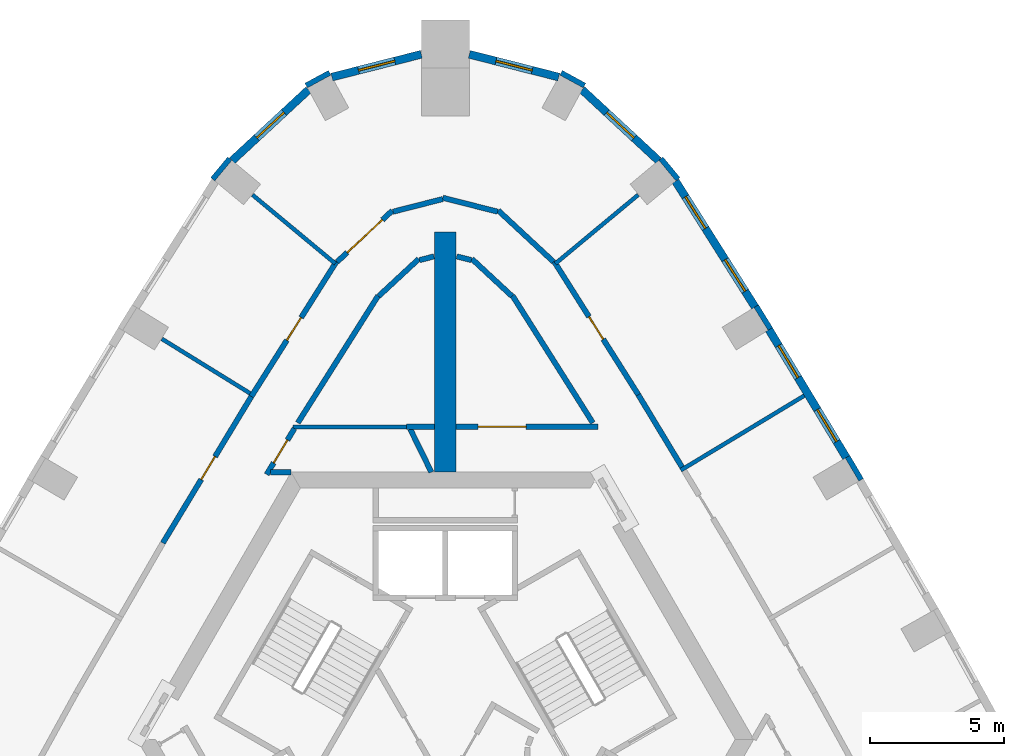
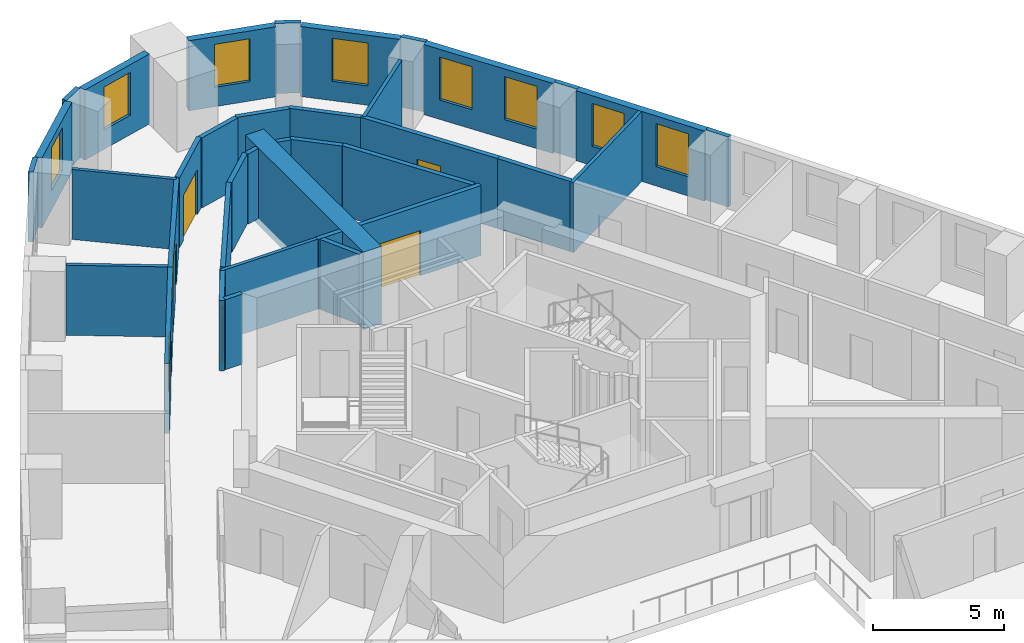
# One storey, part 8 of 10: 37 walls, 8 windows, 6 doors, 14 openings.
"""IFC4 building model written with IfcOpenShell, lengths in metres."""

from ifc_helpers import new_model, si_unit, direction, frame, frame_2d, origin, place, context, subcontext, project, spatial, rectangle, extrude, material, layer, layer_set, type_object, element, fill, save


model = new_model("IFC4")

# Units and contexts
model_context = context("Model", 3, precision=1e-05, world=origin(), true_north=direction((0.0, 1.0)))
body_context = subcontext(model_context, "Body", "Model", "MODEL_VIEW")
ifc_project = project(units=[si_unit("LENGTHUNIT", "METRE"), si_unit("AREAUNIT", "SQUARE_METRE"), si_unit("VOLUMEUNIT", "CUBIC_METRE"), si_unit("PLANEANGLEUNIT", "RADIAN"), si_unit("MASSUNIT", "GRAM", prefix="KILO")], contexts=[model_context])

# Site, building, storey
site_placement = place(None, origin())
site = spatial("IfcSite", under=ifc_project, at=site_placement, CompositionType="ELEMENT")
building_placement = place(site_placement, origin())
building = spatial("IfcBuilding", under=site, at=building_placement, Name="Entoto Arch Interchange Tower", CompositionType="ELEMENT")
storey_placement = place(building_placement, frame((0.0, 0.0, 245.0)))
storey = spatial("IfcBuildingStorey", under=building, at=storey_placement, Name="L55", CompositionType="ELEMENT", Elevation=245.0)

# Walls
ifc_material_1 = material(Name="Concrete C40/50", Category="concrete")
ifc_layer_1 = layer(ifc_material_1, 0.800048828125)
ifc_layer_set_1 = layer_set([ifc_layer_1], Name="Concrete C40/50")
wall_type_1 = type_object("IfcWallType", Name="Buttress wall 800 C40/50", PredefinedType="SHEAR", material=ifc_layer_set_1)
wall_1_placement = place(storey_placement, frame((0.0, 12.5, -0.340087890625), z_axis=(0.0, 0.0, 1.0), x_axis=(0.0, 1.0, 0.0)))
element("IfcWall", 1, at=wall_1_placement, inside=storey, type_object=wall_type_1, Name="Buttress wall N L55", PredefinedType="SHEAR", context=body_context, shape_type="SweptSolid", body=[
    extrude(rectangle(XDim=9.0, YDim=0.800048828125, at=frame_2d((4.5, 0.0))), origin(), (0.0, 0.0, 1.0), 3.60009765625),
])
ifc_material_2 = material(Name="Gypsum board partition on steel studs", Category="steel")
ifc_layer_2 = layer(ifc_material_2, 0.14990234375)
ifc_layer_set_2 = layer_set([ifc_layer_2], Name="Gypsum board partition on steel studs")
wall_type_2 = type_object("IfcWallType", Name="PARTITION 150", PredefinedType="PARTITIONING", material=ifc_layer_set_2)
wall_2_placement = place(storey_placement, frame((-1.45703125, 14.199951171875, 0.0), z_axis=(0.0, 0.0, 1.0), x_axis=(-1.0, 0.0, 0.0)))
element("IfcWall", 2, at=wall_2_placement, inside=storey, type_object=wall_type_2, Name="wall:L55:p071", PredefinedType="PARTITIONING", context=body_context, shape_type="SweptSolid", body=[
    extrude(rectangle(XDim=4.25390625, YDim=0.14990234375, at=frame_2d((2.126953125, 0.0))), origin(), (0.0, 0.0, 1.0), 3.260009765625),
])
wall_3_placement = place(storey_placement, frame((8.81396484375, 12.572021484375, 0.0), z_axis=(0.0, 0.0, 1.0), x_axis=(0.855957229262, 0.517046633945, 0.0)))
element("IfcWall", 3, at=wall_3_placement, inside=storey, type_object=wall_type_2, Name="wall:L55:p107", PredefinedType="PARTITIONING", context=body_context, shape_type="SweptSolid", body=[
    extrude(rectangle(XDim=5.39990234375, YDim=0.14990234375, at=frame_2d((2.699951171875, 0.0))), origin(), (0.0, 0.0, 1.0), 3.260009765625),
])
for number, where, z_axis, x_axis, name in (
    (4, (4.12109375, 20.31005859375, 0.0), (0.0, 0.0, 1.0), (0.769367727798, 0.638806151679, 0.0), "wall:L55:p108"),
    (5, (-4.12109375, 20.31005859375, 0.0), (0.0, 0.0, 1.0), (-0.769367727798, 0.638806151679, 0.0), "wall:L55:p109"),
):
    element("IfcWall", number, at=place(storey_placement, frame(where, z_axis=z_axis, x_axis=x_axis)), inside=storey, type_object=wall_type_2, Name=name, PredefinedType="PARTITIONING", context=body_context, shape_type="SweptSolid", body=[
        extrude(rectangle(XDim=4.02783203125, YDim=0.14990234375, at=frame_2d((2.013916015625, 0.0))), origin(), (0.0, 0.0, 1.0), 3.260009765625),
    ])
wall_4_placement = place(storey_placement, frame((-7.30908203125, 15.450927734375, 0.0), z_axis=(0.0, 0.0, 1.0), x_axis=(-0.850775656528, 0.525529049872, 0.0)))
element("IfcWall", 6, at=wall_4_placement, inside=storey, type_object=wall_type_2, Name="wall:L55:p110", PredefinedType="PARTITIONING", context=body_context, shape_type="SweptSolid", body=[
    extrude(rectangle(XDim=3.880126953125, YDim=0.14990234375, at=frame_2d((1.93994140625, 0.0))), origin(), (0.0, 0.0, 1.0), 3.260009765625),
])
ifc_layer_3 = layer(ifc_material_2, 0.199951171875)
ifc_layer_set_3 = layer_set([ifc_layer_3], Name="Gypsum board partition on steel studs")
wall_type_3 = type_object("IfcWallType", Name="PARTITION 200", PredefinedType="PARTITIONING", material=ifc_layer_set_3)
wall_5_placement = place(storey_placement, frame((-0.52294921875, 12.5, 0.0), z_axis=(0.0, 0.0, 1.0), x_axis=(-0.440503659888, 0.897750814884, 0.0)))
element("IfcWall", 7, at=wall_5_placement, inside=storey, type_object=wall_type_3, Name="wall:L55:p001", PredefinedType="PARTITIONING", context=body_context, shape_type="SweptSolid", body=[
    extrude(rectangle(XDim=1.79345703125, YDim=0.199951171875, at=frame_2d((0.896728515625, 0.0))), origin(), (0.0, 0.0, 1.0), 3.260009765625),
])

# Wall, opening, door
wall_6_placement = place(storey_placement, frame((-5.64990234375, 14.135986328125, 0.0), z_axis=(0.0, 0.0, 1.0), x_axis=(-0.516869099034, -0.856064445275, 0.0)))
wall_6 = element("IfcWall", 8, at=wall_6_placement, inside=storey, type_object=wall_type_3, Name="wall:L55:p002", PredefinedType="PARTITIONING", context=body_context, shape_type="SweptSolid", body=[
    extrude(rectangle(XDim=2.01025390625, YDim=0.199951171875, at=frame_2d((1.005126953125, 0.0))), origin(), (0.0, 0.0, 1.0), 3.260009765625),
])
opening_1_placement = place(wall_6_placement, frame((0.5048828125, 0.0, 0.0)))
opening_1 = element("IfcOpeningElement", 9, at=opening_1_placement, cuts=wall_6, Name="Opening L55-D24", PredefinedType="OPENING", context=body_context, shape_type="SweptSolid", body=[
    extrude(rectangle(XDim=1.0, YDim=2.10009765625, at=frame_2d((0.5, 1.050048828125))), frame((0.0, 0.10986328125, 0.0), z_axis=(0.0, -1.0, 0.0), x_axis=(1.0, 0.0, 0.0)), (0.0, 0.0, 1.0), 0.219970703125),
])
ifc_material_3 = material(Name="Timber door leaf in Steel S235 frame", Category="steel")
door_type_1 = type_object("IfcDoorType", Name="DOOR DS-10 1000x2100", OperationType="SINGLE_SWING_LEFT", PredefinedType="DOOR", material=ifc_material_3)
door_1_placement = place(opening_1_placement, origin())
door_1 = element("IfcDoor", 10, at=door_1_placement, inside=storey, type_object=door_type_1, Name="door:L55:24", OperationType="SINGLE_SWING_LEFT", OverallHeight=2.10009765625, OverallWidth=1.0, PredefinedType="DOOR", context=body_context, shape_type="SweptSolid", body=[
    extrude(rectangle(XDim=1.0, YDim=2.10009765625, at=frame_2d((0.5, 1.050048828125))), frame((0.0, 0.02490234375, 0.0), z_axis=(0.0, -1.0, 0.0), x_axis=(1.0, 0.0, 0.0)), (0.0, 0.0, 1.0), 0.050048828125),
])
fill(opening_1, door_1)

# Walls
wall_7_placement = place(storey_placement, frame((-6.537109375, 12.5009765625, 0.0), z_axis=(0.0, 0.0, 1.0), x_axis=(1.0, 0.0, 0.0)))
element("IfcWall", 11, at=wall_7_placement, inside=storey, type_object=wall_type_3, Name="wall:L55:p003", PredefinedType="PARTITIONING", context=body_context, shape_type="SweptSolid", body=[
    extrude(rectangle(XDim=0.76611328125, YDim=0.199951171875, at=frame_2d((0.383056640625, 0.0))), origin(), (0.0, 0.0, 1.0), 3.260009765625),
])
wall_8_placement = place(storey_placement, frame((-1.45703125, 14.199951171875, 0.0), z_axis=(0.0, 0.0, 1.0), x_axis=(1.0, 0.0, 0.0)))
element("IfcWall", 12, at=wall_8_placement, inside=storey, type_object=wall_type_3, Name="wall:L55:p006", PredefinedType="PARTITIONING", context=body_context, shape_type="SweptSolid", body=[
    extrude(rectangle(XDim=1.05712890625, YDim=0.199951171875, at=frame_2d((0.528564453125, 0.0))), origin(), (0.0, 0.0, 1.0), 3.260009765625),
])
wall_9_placement = place(storey_placement, frame((5.52197265625, 14.347900390625, 0.0), z_axis=(0.0, 0.0, 1.0), x_axis=(-0.534090914267, 0.845427049069, 0.0)))
element("IfcWall", 13, at=wall_9_placement, inside=storey, type_object=wall_type_3, Name="wall:L55:p007", PredefinedType="PARTITIONING", context=body_context, shape_type="SweptSolid", body=[
    extrude(rectangle(XDim=5.6279296875, YDim=0.199951171875, at=frame_2d((2.81396484375, 0.0))), origin(), (0.0, 0.0, 1.0), 3.260009765625),
])
wall_10_placement = place(storey_placement, frame((2.49609375, 19.090087890625, 0.0), z_axis=(0.0, 0.0, 1.0), x_axis=(-0.732801987597, 0.680441949746, 0.0)))
element("IfcWall", 14, at=wall_10_placement, inside=storey, type_object=wall_type_3, Name="wall:L55:p008", PredefinedType="PARTITIONING", context=body_context, shape_type="SweptSolid", body=[
    extrude(rectangle(XDim=2.046875, YDim=0.199951171875, at=frame_2d((1.0234375, 0.0))), origin(), (0.0, 0.0, 1.0), 3.260009765625),
])
for number, where, z_axis, x_axis, name in (
    (15, (0.971923828125, 20.43896484375, 0.0), (0.0, 0.0, 1.0), (-0.969219298128, 0.246199009212, 0.0), "wall:L55:p009"),
    (16, (-0.425048828125, 20.577880859375, 0.0), (0.0, 0.0, 1.0), (-0.969219298128, -0.246199009212, 0.0), "wall:L55:p010"),
):
    element("IfcWall", number, at=place(storey_placement, frame(where, z_axis=z_axis, x_axis=x_axis)), inside=storey, type_object=wall_type_3, Name=name, PredefinedType="PARTITIONING", context=body_context, shape_type="SweptSolid", body=[
        extrude(rectangle(XDim=0.564208984375, YDim=0.199951171875, at=frame_2d((0.2822265625, 0.0))), origin(), (0.0, 0.0, 1.0), 3.260009765625),
    ])
wall_11_placement = place(storey_placement, frame((-0.99609375, 20.48291015625, 0.0), z_axis=(0.0, 0.0, 1.0), x_axis=(-0.732801987597, -0.680441949746, 0.0)))
element("IfcWall", 17, at=wall_11_placement, inside=storey, type_object=wall_type_3, Name="wall:L55:p011", PredefinedType="PARTITIONING", context=body_context, shape_type="SweptSolid", body=[
    extrude(rectangle(XDim=2.046875, YDim=0.199951171875, at=frame_2d((1.0234375, 0.0))), origin(), (0.0, 0.0, 1.0), 3.260009765625),
])
wall_12_placement = place(storey_placement, frame((-2.51611328125, 19.10595703125, 0.0), z_axis=(0.0, 0.0, 1.0), x_axis=(-0.534090914267, -0.845427049069, 0.0)))
element("IfcWall", 18, at=wall_12_placement, inside=storey, type_object=wall_type_3, Name="wall:L55:p012", PredefinedType="PARTITIONING", context=body_context, shape_type="SweptSolid", body=[
    extrude(rectangle(XDim=5.6279296875, YDim=0.199951171875, at=frame_2d((2.81396484375, 0.0))), origin(), (0.0, 0.0, 1.0), 3.260009765625),
])

# Wall, opening, door
wall_13_placement = place(storey_placement, frame((4.068115234375, 20.39501953125, 0.0), z_axis=(0.0, 0.0, 1.0), x_axis=(0.534062936615, -0.845444723051, 0.0)))
wall_13 = element("IfcWall", 19, at=wall_13_placement, inside=storey, type_object=wall_type_3, Name="wall:L55:p045", PredefinedType="PARTITIONING", context=body_context, shape_type="SweptSolid", body=[
    extrude(rectangle(XDim=5.909423828125, YDim=0.199951171875, at=frame_2d((2.95458984375, 0.0))), origin(), (0.0, 0.0, 1.0), 3.260009765625),
])
opening_2_placement = place(wall_13_placement, frame((2.455078125, 0.0, 0.0)))
opening_2 = element("IfcOpeningElement", 20, at=opening_2_placement, cuts=wall_13, Name="Opening L55-D06", PredefinedType="OPENING", context=body_context, shape_type="SweptSolid", body=[
    extrude(rectangle(XDim=1.0, YDim=2.10009765625, at=frame_2d((0.5, 1.050048828125))), frame((0.0, 0.10986328125, 0.0), z_axis=(0.0, -1.0, 0.0), x_axis=(1.0, 0.0, 0.0)), (0.0, 0.0, 1.0), 0.219970703125),
])
door_2_placement = place(opening_2_placement, origin())
door_2 = element("IfcDoor", 21, at=door_2_placement, inside=storey, type_object=door_type_1, Name="door:L55:06", OperationType="SINGLE_SWING_LEFT", OverallHeight=2.10009765625, OverallWidth=1.0, PredefinedType="DOOR", context=body_context, shape_type="SweptSolid", body=[
    extrude(rectangle(XDim=1.0, YDim=2.10009765625, at=frame_2d((0.5, 1.050048828125))), frame((0.0, 0.02490234375, 0.0), z_axis=(0.0, -1.0, 0.0), x_axis=(1.0, 0.0, 0.0)), (0.0, 0.0, 1.0), 0.050048828125),
])
fill(opening_2, door_2)

# Wall
wall_14_placement = place(storey_placement, frame((7.22412109375, 15.39892578125, 0.0), z_axis=(0.0, 0.0, 1.0), x_axis=(0.51690854001, -0.856040630615, 0.0)))
element("IfcWall", 22, at=wall_14_placement, inside=storey, type_object=wall_type_3, Name="wall:L55:p046", PredefinedType="PARTITIONING", context=body_context, shape_type="SweptSolid", body=[
    extrude(rectangle(XDim=3.166748046875, YDim=0.199951171875, at=frame_2d((1.58349609375, 0.0))), origin(), (0.0, 0.0, 1.0), 3.260009765625),
])

# Wall, opening, door
wall_15_placement = place(storey_placement, frame((-4.048095703125, 20.3779296875, 0.0), z_axis=(0.0, 0.0, 1.0), x_axis=(0.732913830966, 0.680321480169, 0.0)))
wall_15 = element("IfcWall", 23, at=wall_15_placement, inside=storey, type_object=wall_type_3, Name="wall:L55:p047", PredefinedType="PARTITIONING", context=body_context, shape_type="SweptSolid", body=[
    extrude(rectangle(XDim=2.81787109375, YDim=0.199951171875, at=frame_2d((1.408935546875, 0.0))), origin(), (0.0, 0.0, 1.0), 3.260009765625),
])
opening_3_placement = place(wall_15_placement, frame((0.509033203125, 0.0, 0.0)))
opening_3 = element("IfcOpeningElement", 24, at=opening_3_placement, cuts=wall_15, Name="Opening L55-D07", PredefinedType="OPENING", context=body_context, shape_type="SweptSolid", body=[
    extrude(rectangle(XDim=1.800048828125, YDim=2.10009765625, at=frame_2d((0.89990234375, 1.050048828125))), frame((0.0, 0.10986328125, 0.0), z_axis=(0.0, -1.0, 0.0), x_axis=(1.0, 0.0, 0.0)), (0.0, 0.0, 1.0), 0.219970703125),
])
door_type_2 = type_object("IfcDoorType", Name="DOOR DD-18 1800x2100", OperationType="DOUBLE_DOOR_SINGLE_SWING", PredefinedType="DOOR", material=ifc_material_3)
door_3_placement = place(opening_3_placement, origin())
door_3 = element("IfcDoor", 25, at=door_3_placement, inside=storey, type_object=door_type_2, Name="door:L55:07", OperationType="DOUBLE_DOOR_SINGLE_SWING", OverallHeight=2.10009765625, OverallWidth=1.800048828125, PredefinedType="DOOR", context=body_context, shape_type="SweptSolid", body=[
    extrude(rectangle(XDim=1.800048828125, YDim=2.10009765625, at=frame_2d((0.89990234375, 1.050048828125))), frame((0.0, 0.02490234375, 0.0), z_axis=(0.0, -1.0, 0.0), x_axis=(1.0, 0.0, 0.0)), (0.0, 0.0, 1.0), 0.050048828125),
])
fill(opening_3, door_3)

# Walls
wall_16_placement = place(storey_placement, frame((-1.958984375, 22.251953125, 0.0), z_axis=(0.0, 0.0, 1.0), x_axis=(0.969079499141, 0.246748706875, 0.0)))
element("IfcWall", 26, at=wall_16_placement, inside=storey, type_object=wall_type_3, Name="wall:L55:p048", PredefinedType="PARTITIONING", context=body_context, shape_type="SweptSolid", body=[
    extrude(rectangle(XDim=1.92138671875, YDim=0.199951171875, at=frame_2d((0.960693359375, 0.0))), origin(), (0.0, 0.0, 1.0), 3.260009765625),
])
wall_17_placement = place(storey_placement, frame((-0.096923828125, 22.77490234375, 0.0), z_axis=(0.0, 0.0, 1.0), x_axis=(0.969139178222, -0.246514204934, 0.0)))
element("IfcWall", 27, at=wall_17_placement, inside=storey, type_object=wall_type_3, Name="wall:L55:p049", PredefinedType="PARTITIONING", context=body_context, shape_type="SweptSolid", body=[
    extrude(rectangle(XDim=2.121337890625, YDim=0.199951171875, at=frame_2d((1.060546875, 0.0))), origin(), (0.0, 0.0, 1.0), 3.260009765625),
])
wall_18_placement = place(storey_placement, frame((1.98291015625, 22.294921875, 0.0), z_axis=(0.0, 0.0, 1.0), x_axis=(0.732913830966, -0.680321480169, 0.0)))
element("IfcWall", 28, at=wall_18_placement, inside=storey, type_object=wall_type_3, Name="wall:L55:p050", PredefinedType="PARTITIONING", context=body_context, shape_type="SweptSolid", body=[
    extrude(rectangle(XDim=2.81787109375, YDim=0.199951171875, at=frame_2d((1.408935546875, 0.0))), origin(), (0.0, 0.0, 1.0), 3.260009765625),
])

# Wall, opening, door
wall_19_placement = place(storey_placement, frame((-7.263916015625, 15.3349609375, 0.0), z_axis=(0.0, 0.0, 1.0), x_axis=(0.533989921757, 0.845490841737, 0.0)))
wall_19 = element("IfcWall", 29, at=wall_19_placement, inside=storey, type_object=wall_type_3, Name="wall:L55:p051", PredefinedType="PARTITIONING", context=body_context, shape_type="SweptSolid", body=[
    extrude(rectangle(XDim=5.98486328125, YDim=0.199951171875, at=frame_2d((2.992431640625, 0.0))), origin(), (0.0, 0.0, 1.0), 3.260009765625),
])
opening_4_placement = place(wall_19_placement, frame((2.491943359375, 0.0, 0.0)))
opening_4 = element("IfcOpeningElement", 30, at=opening_4_placement, cuts=wall_19, Name="Opening L55-D08", PredefinedType="OPENING", context=body_context, shape_type="SweptSolid", body=[
    extrude(rectangle(XDim=1.0, YDim=2.10009765625, at=frame_2d((0.5, 1.050048828125))), frame((0.0, 0.10986328125, 0.0), z_axis=(0.0, -1.0, 0.0), x_axis=(1.0, 0.0, 0.0)), (0.0, 0.0, 1.0), 0.219970703125),
])
door_4_placement = place(opening_4_placement, origin())
door_4 = element("IfcDoor", 31, at=door_4_placement, inside=storey, type_object=door_type_1, Name="door:L55:08", OperationType="SINGLE_SWING_LEFT", OverallHeight=2.10009765625, OverallWidth=1.0, PredefinedType="DOOR", context=body_context, shape_type="SweptSolid", body=[
    extrude(rectangle(XDim=1.0, YDim=2.10009765625, at=frame_2d((0.5, 1.050048828125))), frame((0.0, 0.02490234375, 0.0), z_axis=(0.0, -1.0, 0.0), x_axis=(1.0, 0.0, 0.0)), (0.0, 0.0, 1.0), 0.050048828125),
])
fill(opening_4, door_4)

wall_20_placement = place(storey_placement, frame((-10.575927734375, 9.84912109375, 0.0), z_axis=(0.0, 0.0, 1.0), x_axis=(0.517026085378, 0.855969641423, 0.0)))
wall_20 = element("IfcWall", 32, at=wall_20_placement, inside=storey, type_object=wall_type_3, Name="wall:L55:p053", PredefinedType="PARTITIONING", context=body_context, shape_type="SweptSolid", body=[
    extrude(rectangle(XDim=6.40771484375, YDim=0.199951171875, at=frame_2d((3.203857421875, 0.0))), origin(), (0.0, 0.0, 1.0), 3.260009765625),
])
opening_5_placement = place(wall_20_placement, frame((2.779052734375, 0.0, 0.0)))
opening_5 = element("IfcOpeningElement", 33, at=opening_5_placement, cuts=wall_20, Name="Opening L55-D09", PredefinedType="OPENING", context=body_context, shape_type="SweptSolid", body=[
    extrude(rectangle(XDim=1.0, YDim=2.10009765625, at=frame_2d((0.5, 1.050048828125))), frame((0.0, 0.10986328125, 0.0), z_axis=(0.0, -1.0, 0.0), x_axis=(1.0, 0.0, 0.0)), (0.0, 0.0, 1.0), 0.219970703125),
])
door_5_placement = place(opening_5_placement, origin())
door_5 = element("IfcDoor", 34, at=door_5_placement, inside=storey, type_object=door_type_1, Name="door:L55:09", OperationType="SINGLE_SWING_LEFT", OverallHeight=2.10009765625, OverallWidth=1.0, PredefinedType="DOOR", context=body_context, shape_type="SweptSolid", body=[
    extrude(rectangle(XDim=1.0, YDim=2.10009765625, at=frame_2d((0.5, 1.050048828125))), frame((0.0, 0.02490234375, 0.0), z_axis=(0.0, -1.0, 0.0), x_axis=(1.0, 0.0, 0.0)), (0.0, 0.0, 1.0), 0.050048828125),
])
fill(opening_5, door_5)

wall_21_placement = place(storey_placement, frame((0.39990234375, 14.199951171875, 0.0), z_axis=(0.0, 0.0, 1.0), x_axis=(1.0, 0.0, 0.0)))
wall_21 = element("IfcWall", 35, at=wall_21_placement, inside=storey, type_object=wall_type_3, Name="wall:L55:p006", PredefinedType="PARTITIONING", context=body_context, shape_type="SweptSolid", body=[
    extrude(rectangle(XDim=5.31103515625, YDim=0.199951171875, at=frame_2d((2.655517578125, 0.0))), origin(), (0.0, 0.0, 1.0), 3.260009765625),
])
opening_6_placement = place(wall_21_placement, frame((0.826904296875, 0.0, 0.0)))
opening_6 = element("IfcOpeningElement", 36, at=opening_6_placement, cuts=wall_21, Name="Opening L55-D18", PredefinedType="OPENING", context=body_context, shape_type="SweptSolid", body=[
    extrude(rectangle(XDim=1.800048828125, YDim=2.10009765625, at=frame_2d((0.89990234375, 1.050048828125))), frame((0.0, 0.10986328125, 0.0), z_axis=(0.0, -1.0, 0.0), x_axis=(1.0, 0.0, 0.0)), (0.0, 0.0, 1.0), 0.219970703125),
])
door_6_placement = place(opening_6_placement, origin())
door_6 = element("IfcDoor", 37, at=door_6_placement, inside=storey, type_object=door_type_2, Name="door:L55:18", OperationType="DOUBLE_DOOR_SINGLE_SWING", OverallHeight=2.10009765625, OverallWidth=1.800048828125, PredefinedType="DOOR", context=body_context, shape_type="SweptSolid", body=[
    extrude(rectangle(XDim=1.800048828125, YDim=2.10009765625, at=frame_2d((0.89990234375, 1.050048828125))), frame((0.0, 0.02490234375, 0.0), z_axis=(0.0, -1.0, 0.0), x_axis=(1.0, 0.0, 0.0)), (0.0, 0.0, 1.0), 0.050048828125),
])
fill(opening_6, door_6)

# Wall, openings, windows
ifc_material_4 = material(Name="Welded tuff (ignimbrite) cladding, warm buff", Category="masonry")
ifc_layer_4 = layer(ifc_material_4, 0.300048828125)
ifc_layer_set_4 = layer_set([ifc_layer_4], Name="Welded tuff (ignimbrite) cladding, warm buff")
wall_type_4 = type_object("IfcWallType", Name="STONE INFILL WALL 300", PredefinedType="STANDARD", material=ifc_layer_set_4)
wall_22_placement = place(storey_placement, frame((15.010986328125, 13.048095703125, 0.0), z_axis=(0.0, 0.0, 1.0), x_axis=(-0.517169592475, 0.855882943293, 0.0)))
wall_22 = element("IfcWall", 38, at=wall_22_placement, inside=storey, type_object=wall_type_4, Name="Facade wall NE-04 L55", PredefinedType="STANDARD", context=body_context, shape_type="SweptSolid", body=[
    extrude(rectangle(XDim=5.593994140625, YDim=0.300048828125, at=frame_2d((2.796875, 0.0))), origin(), (0.0, 0.0, 1.0), 3.260009765625),
])
opening_7_placement = place(wall_22_placement, frame((0.698974609375, 0.0, 0.89990234375)))
opening_7 = element("IfcOpeningElement", 39, at=opening_7_placement, cuts=wall_22, Name="Opening WH-B", PredefinedType="OPENING", context=body_context, shape_type="SweptSolid", body=[
    extrude(rectangle(XDim=1.39990234375, YDim=2.0, at=frame_2d((0.699951171875, 1.0))), frame((0.0, 0.16015625, 0.0), z_axis=(0.0, -1.0, 0.0), x_axis=(1.0, 0.0, 0.0)), (0.0, 0.0, 1.0), 0.320068359375),
])
opening_8_placement = place(wall_22_placement, frame((3.49609375, 0.0, 0.89990234375)))
opening_8 = element("IfcOpeningElement", 40, at=opening_8_placement, cuts=wall_22, Name="Opening WH-B", PredefinedType="OPENING", context=body_context, shape_type="SweptSolid", body=[
    extrude(rectangle(XDim=1.39990234375, YDim=2.0, at=frame_2d((0.699951171875, 1.0))), frame((0.0, 0.16015625, 0.0), z_axis=(0.0, -1.0, 0.0), x_axis=(1.0, 0.0, 0.0)), (0.0, 0.0, 1.0), 0.320068359375),
])
ifc_material_5 = material(Name="Clear glass, low-e double glazed", Category="glass")
window_type = type_object("IfcWindowType", Name="WINDOW WH-B 1400x2000", PartitioningType="DOUBLE_PANEL_VERTICAL", PredefinedType="WINDOW", material=ifc_material_5)
window_1_placement = place(opening_7_placement, origin())
window_1 = element("IfcWindow", 41, at=window_1_placement, inside=storey, type_object=window_type, Name="Window WH-B NE-04 L55", OverallHeight=2.0, OverallWidth=1.39990234375, PartitioningType="SINGLE_PANEL", PredefinedType="WINDOW", context=body_context, shape_type="SweptSolid", body=[
    extrude(rectangle(XDim=1.39990234375, YDim=2.0, at=frame_2d((0.699951171875, 1.0))), frame((0.0, 0.030029296875, 0.0), z_axis=(0.0, -1.0, 0.0), x_axis=(1.0, 0.0, 0.0)), (0.0, 0.0, 1.0), 0.06005859375),
])
fill(opening_7, window_1)
window_2_placement = place(opening_8_placement, origin())
window_2 = element("IfcWindow", 42, at=window_2_placement, inside=storey, type_object=window_type, Name="Window WH-B NE-04 L55", OverallHeight=2.0, OverallWidth=1.39990234375, PartitioningType="SINGLE_PANEL", PredefinedType="WINDOW", context=body_context, shape_type="SweptSolid", body=[
    extrude(rectangle(XDim=1.39990234375, YDim=2.0, at=frame_2d((0.699951171875, 1.0))), frame((0.0, 0.030029296875, 0.0), z_axis=(0.0, -1.0, 0.0), x_axis=(1.0, 0.0, 0.0)), (0.0, 0.0, 1.0), 0.06005859375),
])
fill(opening_8, window_2)

wall_23_placement = place(storey_placement, frame((11.593994140625, 18.68505859375, 0.0), z_axis=(0.0, 0.0, 1.0), x_axis=(-0.534088597203, 0.845428512849, 0.0)))
wall_23 = element("IfcWall", 43, at=wall_23_placement, inside=storey, type_object=wall_type_4, Name="Facade wall NE-05 L55", PredefinedType="STANDARD", context=body_context, shape_type="SweptSolid", body=[
    extrude(rectangle(XDim=5.572265625, YDim=0.300048828125, at=frame_2d((2.7861328125, 0.0))), origin(), (0.0, 0.0, 1.0), 3.260009765625),
])
opening_9_placement = place(wall_23_placement, frame((0.693115234375, 0.0, 0.89990234375)))
opening_9 = element("IfcOpeningElement", 44, at=opening_9_placement, cuts=wall_23, Name="Opening WH-B", PredefinedType="OPENING", context=body_context, shape_type="SweptSolid", body=[
    extrude(rectangle(XDim=1.39990234375, YDim=2.0, at=frame_2d((0.699951171875, 1.0))), frame((0.0, 0.16015625, 0.0), z_axis=(0.0, -1.0, 0.0), x_axis=(1.0, 0.0, 0.0)), (0.0, 0.0, 1.0), 0.320068359375),
])
opening_10_placement = place(wall_23_placement, frame((3.47900390625, 0.0, 0.89990234375)))
opening_10 = element("IfcOpeningElement", 45, at=opening_10_placement, cuts=wall_23, Name="Opening WH-B", PredefinedType="OPENING", context=body_context, shape_type="SweptSolid", body=[
    extrude(rectangle(XDim=1.39990234375, YDim=2.0, at=frame_2d((0.699951171875, 1.0))), frame((0.0, 0.16015625, 0.0), z_axis=(0.0, -1.0, 0.0), x_axis=(1.0, 0.0, 0.0)), (0.0, 0.0, 1.0), 0.320068359375),
])
window_3_placement = place(opening_9_placement, origin())
window_3 = element("IfcWindow", 46, at=window_3_placement, inside=storey, type_object=window_type, Name="Window WH-B NE-05 L55", OverallHeight=2.0, OverallWidth=1.39990234375, PartitioningType="SINGLE_PANEL", PredefinedType="WINDOW", context=body_context, shape_type="SweptSolid", body=[
    extrude(rectangle(XDim=1.39990234375, YDim=2.0, at=frame_2d((0.699951171875, 1.0))), frame((0.0, 0.030029296875, 0.0), z_axis=(0.0, -1.0, 0.0), x_axis=(1.0, 0.0, 0.0)), (0.0, 0.0, 1.0), 0.06005859375),
])
fill(opening_9, window_3)
window_4_placement = place(opening_10_placement, origin())
window_4 = element("IfcWindow", 47, at=window_4_placement, inside=storey, type_object=window_type, Name="Window WH-B NE-05 L55", OverallHeight=2.0, OverallWidth=1.39990234375, PartitioningType="SINGLE_PANEL", PredefinedType="WINDOW", context=body_context, shape_type="SweptSolid", body=[
    extrude(rectangle(XDim=1.39990234375, YDim=2.0, at=frame_2d((0.699951171875, 1.0))), frame((0.0, 0.030029296875, 0.0), z_axis=(0.0, -1.0, 0.0), x_axis=(1.0, 0.0, 0.0)), (0.0, 0.0, 1.0), 0.06005859375),
])
fill(opening_10, window_4)

# Wall, opening, window
wall_24_placement = place(storey_placement, frame((7.98095703125, 24.1640625, 0.0), z_axis=(0.0, 0.0, 1.0), x_axis=(-0.733038780179, 0.680186846942, 0.0)))
wall_24 = element("IfcWall", 48, at=wall_24_placement, inside=storey, type_object=wall_type_4, Name="Facade wall N-01 L55", PredefinedType="STANDARD", context=body_context, shape_type="SweptSolid", body=[
    extrude(rectangle(XDim=3.898681640625, YDim=0.300048828125, at=frame_2d((1.94921875, 0.0))), origin(), (0.0, 0.0, 1.0), 3.260009765625),
])
opening_11_placement = place(wall_24_placement, frame((1.2490234375, 0.0, 0.89990234375)))
opening_11 = element("IfcOpeningElement", 49, at=opening_11_placement, cuts=wall_24, Name="Opening WH-B", PredefinedType="OPENING", context=body_context, shape_type="SweptSolid", body=[
    extrude(rectangle(XDim=1.39990234375, YDim=2.0, at=frame_2d((0.699951171875, 1.0))), frame((0.0, 0.16015625, 0.0), z_axis=(0.0, -1.0, 0.0), x_axis=(1.0, 0.0, 0.0)), (0.0, 0.0, 1.0), 0.320068359375),
])
window_5_placement = place(opening_11_placement, origin())
window_5 = element("IfcWindow", 50, at=window_5_placement, inside=storey, type_object=window_type, Name="Window WH-B N-01 L55", OverallHeight=2.0, OverallWidth=1.39990234375, PartitioningType="SINGLE_PANEL", PredefinedType="WINDOW", context=body_context, shape_type="SweptSolid", body=[
    extrude(rectangle(XDim=1.39990234375, YDim=2.0, at=frame_2d((0.699951171875, 1.0))), frame((0.0, 0.030029296875, 0.0), z_axis=(0.0, -1.0, 0.0), x_axis=(1.0, 0.0, 0.0)), (0.0, 0.0, 1.0), 0.06005859375),
])
fill(opening_11, window_5)

wall_25_placement = place(storey_placement, frame((4.2470703125, 27.29296875, 0.0), z_axis=(0.0, 0.0, 1.0), x_axis=(-0.969111301113, 0.24662377431, 0.0)))
wall_25 = element("IfcWall", 51, at=wall_25_placement, inside=storey, type_object=wall_type_4, Name="Facade wall N-02 L55", PredefinedType="STANDARD", context=body_context, shape_type="SweptSolid", body=[
    extrude(rectangle(XDim=3.454833984375, YDim=0.300048828125, at=frame_2d((1.7275390625, 0.0))), origin(), (0.0, 0.0, 1.0), 3.260009765625),
])
opening_12_placement = place(wall_25_placement, frame((1.027099609375, 0.0, 0.89990234375)))
opening_12 = element("IfcOpeningElement", 52, at=opening_12_placement, cuts=wall_25, Name="Opening WH-B", PredefinedType="OPENING", context=body_context, shape_type="SweptSolid", body=[
    extrude(rectangle(XDim=1.39990234375, YDim=2.0, at=frame_2d((0.699951171875, 1.0))), frame((0.0, 0.16015625, 0.0), z_axis=(0.0, -1.0, 0.0), x_axis=(1.0, 0.0, 0.0)), (0.0, 0.0, 1.0), 0.320068359375),
])
window_6_placement = place(opening_12_placement, origin())
window_6 = element("IfcWindow", 53, at=window_6_placement, inside=storey, type_object=window_type, Name="Window WH-B N-02 L55", OverallHeight=2.0, OverallWidth=1.39990234375, PartitioningType="SINGLE_PANEL", PredefinedType="WINDOW", context=body_context, shape_type="SweptSolid", body=[
    extrude(rectangle(XDim=1.39990234375, YDim=2.0, at=frame_2d((0.699951171875, 1.0))), frame((0.0, 0.030029296875, 0.0), z_axis=(0.0, -1.0, 0.0), x_axis=(1.0, 0.0, 0.0)), (0.0, 0.0, 1.0), 0.06005859375),
])
fill(opening_12, window_6)

wall_26_placement = place(storey_placement, frame((-0.89892578125, 28.14501953125, 0.0), z_axis=(0.0, 0.0, 1.0), x_axis=(-0.969111301113, -0.24662377431, 0.0)))
wall_26 = element("IfcWall", 54, at=wall_26_placement, inside=storey, type_object=wall_type_4, Name="Facade wall N-03 L55", PredefinedType="STANDARD", context=body_context, shape_type="SweptSolid", body=[
    extrude(rectangle(XDim=3.454833984375, YDim=0.300048828125, at=frame_2d((1.7275390625, 0.0))), origin(), (0.0, 0.0, 1.0), 3.260009765625),
])
opening_13_placement = place(wall_26_placement, frame((1.027099609375, 0.0, 0.89990234375)))
opening_13 = element("IfcOpeningElement", 55, at=opening_13_placement, cuts=wall_26, Name="Opening WH-B", PredefinedType="OPENING", context=body_context, shape_type="SweptSolid", body=[
    extrude(rectangle(XDim=1.39990234375, YDim=2.0, at=frame_2d((0.699951171875, 1.0))), frame((0.0, 0.16015625, 0.0), z_axis=(0.0, -1.0, 0.0), x_axis=(1.0, 0.0, 0.0)), (0.0, 0.0, 1.0), 0.320068359375),
])
window_7_placement = place(opening_13_placement, origin())
window_7 = element("IfcWindow", 56, at=window_7_placement, inside=storey, type_object=window_type, Name="Window WH-B N-03 L55", OverallHeight=2.0, OverallWidth=1.39990234375, PartitioningType="SINGLE_PANEL", PredefinedType="WINDOW", context=body_context, shape_type="SweptSolid", body=[
    extrude(rectangle(XDim=1.39990234375, YDim=2.0, at=frame_2d((0.699951171875, 1.0))), frame((0.0, 0.030029296875, 0.0), z_axis=(0.0, -1.0, 0.0), x_axis=(1.0, 0.0, 0.0)), (0.0, 0.0, 1.0), 0.06005859375),
])
fill(opening_13, window_7)

wall_27_placement = place(storey_placement, frame((-5.123046875, 26.81591796875, 0.0), z_axis=(0.0, 0.0, 1.0), x_axis=(-0.733038780179, -0.680186846942, 0.0)))
wall_27 = element("IfcWall", 57, at=wall_27_placement, inside=storey, type_object=wall_type_4, Name="Facade wall N-04 L55", PredefinedType="STANDARD", context=body_context, shape_type="SweptSolid", body=[
    extrude(rectangle(XDim=3.898681640625, YDim=0.300048828125, at=frame_2d((1.94921875, 0.0))), origin(), (0.0, 0.0, 1.0), 3.260009765625),
])
opening_14_placement = place(wall_27_placement, frame((1.2490234375, 0.0, 0.89990234375)))
opening_14 = element("IfcOpeningElement", 58, at=opening_14_placement, cuts=wall_27, Name="Opening WH-B", PredefinedType="OPENING", context=body_context, shape_type="SweptSolid", body=[
    extrude(rectangle(XDim=1.39990234375, YDim=2.0, at=frame_2d((0.699951171875, 1.0))), frame((0.0, 0.16015625, 0.0), z_axis=(0.0, -1.0, 0.0), x_axis=(1.0, 0.0, 0.0)), (0.0, 0.0, 1.0), 0.320068359375),
])
window_8_placement = place(opening_14_placement, origin())
window_8 = element("IfcWindow", 59, at=window_8_placement, inside=storey, type_object=window_type, Name="Window WH-B N-04 L55", OverallHeight=2.0, OverallWidth=1.39990234375, PartitioningType="SINGLE_PANEL", PredefinedType="WINDOW", context=body_context, shape_type="SweptSolid", body=[
    extrude(rectangle(XDim=1.39990234375, YDim=2.0, at=frame_2d((0.699951171875, 1.0))), frame((0.0, 0.030029296875, 0.0), z_axis=(0.0, -1.0, 0.0), x_axis=(1.0, 0.0, 0.0)), (0.0, 0.0, 1.0), 0.06005859375),
])
fill(opening_14, window_8)

# Walls
ifc_layer_5 = layer(ifc_material_4, 0.199951171875)
ifc_layer_set_5 = layer_set([ifc_layer_5], Name="Welded tuff (ignimbrite) cladding, warm buff")
wall_type_5 = type_object("IfcWallType", Name="STONE PIER CLADDING 200", PredefinedType="STANDARD", material=ifc_layer_set_5)
for number, where, z_axis, x_axis, name in (
    (60, (5.2109375, 26.97509765625, 0.0), (0.0, 0.0, 1.0), (-0.878352573164, 0.478013344183, 0.0), "Stone pier N1 L55"),
    (61, (-4.3330078125, 27.452880859375, 0.0), (0.0, 0.0, 1.0), (-0.878352573164, -0.478013344183, 0.0), "Stone pier N3 L55"),
    (62, (15.56591796875, 12.216064453125, 0.0), (0.0, 0.0, 1.0), (-0.508087253435, 0.86130560366, 0.0), "Stone pier NE04 L55"),
):
    element("IfcWall", number, at=place(storey_placement, frame(where, z_axis=z_axis, x_axis=x_axis)), inside=storey, type_object=wall_type_5, Name=name, PredefinedType="STANDARD", context=body_context, shape_type="SweptSolid", body=[
        extrude(rectangle(XDim=0.99951171875, YDim=0.199951171875, at=frame_2d((0.499755859375, 0.0))), origin(), (0.0, 0.0, 1.0), 3.260009765625),
    ])
wall_28_placement = place(storey_placement, frame((12.166015625, 17.864013671875, 0.0), z_axis=(0.0, 0.0, 1.0), x_axis=(-0.525825307325, 0.850592585306, 0.0)))
element("IfcWall", 63, at=wall_28_placement, inside=storey, type_object=wall_type_5, Name="Stone pier NE05 L55", PredefinedType="STANDARD", context=body_context, shape_type="SweptSolid", body=[
    extrude(rectangle(XDim=1.00048828125, YDim=0.199951171875, at=frame_2d((0.500244140625, 0.0))), origin(), (0.0, 0.0, 1.0), 3.260009765625),
])
for number, where, z_axis, x_axis, name in (
    (64, (8.7080078125, 23.468994140625, 0.0), (0.0, 0.0, 1.0), (-0.637972365578, 0.770059257953, 0.0), "Stone pier NE06 L55"),
    (65, (-8.070068359375, 24.239013671875, 0.0), (0.0, 0.0, 1.0), (-0.637972365578, -0.770059257953, 0.0), "Stone pier NW01 L55"),
):
    element("IfcWall", number, at=place(storey_placement, frame(where, z_axis=z_axis, x_axis=x_axis)), inside=storey, type_object=wall_type_5, Name=name, PredefinedType="STANDARD", context=body_context, shape_type="SweptSolid", body=[
        extrude(rectangle(XDim=1.0, YDim=0.199951171875, at=frame_2d((0.5, 0.0))), origin(), (0.0, 0.0, 1.0), 3.260009765625),
    ])

save(model, "model.ifc")
